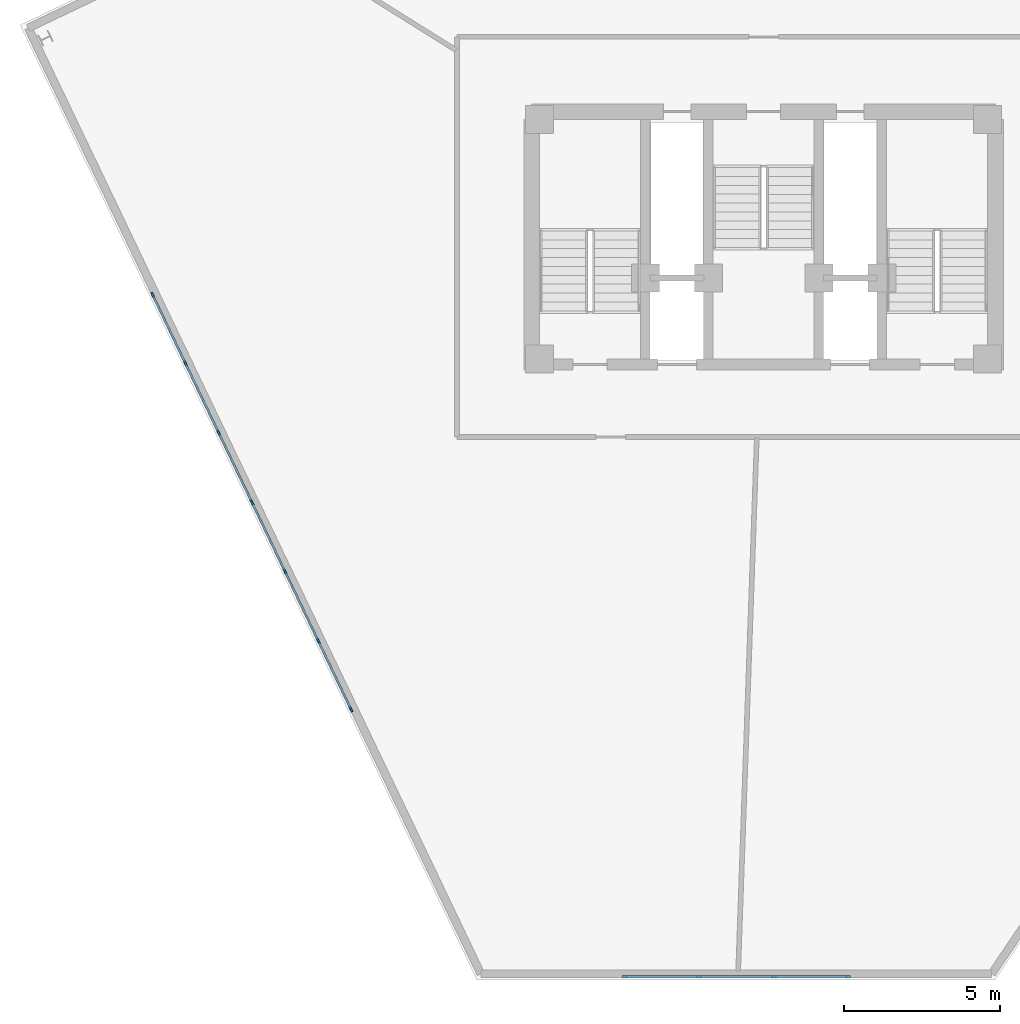
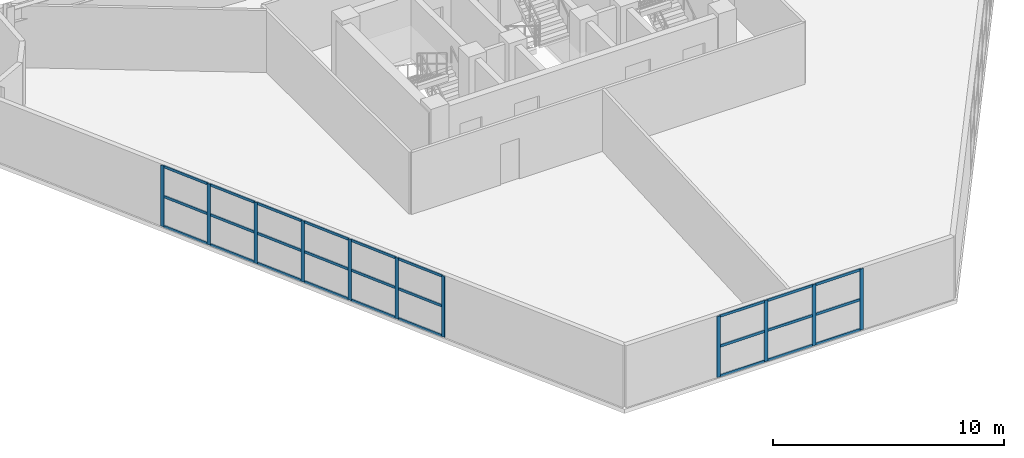
# One storey, part 3 of 8: 38 members, 2 elements without a shape of their own.
"""IFC4 building model written with IfcOpenShell, lengths in metres."""

from ifc_helpers import new_model, si_unit, direction, frame, origin, origin_2d, place, context, subcontext, project, spatial, rectangle, extrude, material, layer, layer_set, material_profile, profile_set, type_object, element, aggregate, save


model = new_model("IFC4")

# Units and contexts
model_context = context("Model", 3, precision=1e-05, world=origin(), true_north=direction((0.0, 1.0)))
body_context = subcontext(model_context, "Body", "Model", "MODEL_VIEW")
ifc_project = project(units=[si_unit("LENGTHUNIT", "METRE"), si_unit("AREAUNIT", "SQUARE_METRE"), si_unit("VOLUMEUNIT", "CUBIC_METRE"), si_unit("PLANEANGLEUNIT", "RADIAN"), si_unit("MASSUNIT", "GRAM", prefix="KILO")], contexts=[model_context])

# Site, building, storey
site_placement = place(None, origin())
site = spatial("IfcSite", under=ifc_project, at=site_placement, CompositionType="ELEMENT")
building_placement = place(site_placement, origin())
building = spatial("IfcBuilding", under=site, at=building_placement, Name="Apsidion Concourse Tower", CompositionType="ELEMENT")
storey_placement = place(building_placement, frame((0.0, 0.0, 332.5)))
storey = spatial("IfcBuildingStorey", under=building, at=storey_placement, Name="L78", CompositionType="ELEMENT", Elevation=332.5)

# Curtain wall, members
ifc_material_1 = material(Name="Insulated laminated low-E glass", Category="glass")
ifc_layer = layer(ifc_material_1, 0.239990234375)
ifc_layer_set = layer_set([ifc_layer], Name="Insulated laminated low-E glass")
curtain_wall_type = type_object("IfcCurtainWallType", Name="CW-SYS-06", PredefinedType="NOTDEFINED", material=ifc_layer_set)
curtain_wall_1_placement = place(storey_placement, origin())
curtain_wall_1 = element("IfcCurtainWall", 1, at=curtain_wall_1_placement, inside=storey, type_object=curtain_wall_type, Name="L78 Slanted Crown Curtain Wall 9", PredefinedType="NOTDEFINED")
ifc_material_2 = material(Name="Anodised aluminium EN AW-6063 T6", Category="aluminium")
ifc_material_profile_1 = material_profile(ifc_material_2, rectangle(XDim=0.06494140625, YDim=0.179931640625, at=origin_2d()), Name="ALU MULLION 65x180")
ifc_profile_set_1 = profile_set([ifc_material_profile_1], Name="Anodised aluminium EN AW-6063 T6")
member_type_1 = type_object("IfcMemberType", Name="CWM-65X180", PredefinedType="MULLION", material=ifc_profile_set_1)
member_1_placement = place(storey_placement, frame((2.700927734375, -18.39501953125, 0.0), z_axis=(0.0, 0.0, 1.0), x_axis=(0.0, -1.0, 0.0)))
member_1 = element("IfcMember", 2, at=member_1_placement, type_object=member_type_1, Name="CW-06 mullion 1", PredefinedType="MULLION", context=body_context, shape_type="SweptSolid", body=[
    extrude(rectangle(XDim=0.06494140625, YDim=0.179931640625, at=origin_2d()), origin(), (0.0, 0.0, 1.0), 3.22998046875),
])
member_2_placement = place(storey_placement, frame((0.325927734375, -18.39501953125, 0.0), z_axis=(0.0, 0.0, 1.0), x_axis=(0.0, -1.0, 0.0)))
member_2 = element("IfcMember", 3, at=member_2_placement, type_object=member_type_1, Name="CW-06 mullion 2", PredefinedType="MULLION", context=body_context, shape_type="SweptSolid", body=[
    extrude(rectangle(XDim=0.06494140625, YDim=0.179931640625, at=origin_2d()), origin(), (0.0, 0.0, 1.0), 3.22998046875),
])
member_3_placement = place(storey_placement, frame((-2.081787109375, -18.39501953125, 0.0), z_axis=(0.0, 0.0, 1.0), x_axis=(0.0, -1.0, 0.0)))
member_3 = element("IfcMember", 4, at=member_3_placement, type_object=member_type_1, Name="CW-06 mullion 3", PredefinedType="MULLION", context=body_context, shape_type="SweptSolid", body=[
    extrude(rectangle(XDim=0.06494140625, YDim=0.179931640625, at=origin_2d()), origin(), (0.0, 0.0, 1.0), 3.22998046875),
])
member_4_placement = place(storey_placement, frame((-4.45703125, -18.39501953125, 0.0), z_axis=(0.0, 0.0, 1.0), x_axis=(0.0, -1.0, 0.0)))
member_4 = element("IfcMember", 5, at=member_4_placement, type_object=member_type_1, Name="CW-06 mullion 4", PredefinedType="MULLION", context=body_context, shape_type="SweptSolid", body=[
    extrude(rectangle(XDim=0.06494140625, YDim=0.179931640625, at=origin_2d()), origin(), (0.0, 0.0, 1.0), 3.22998046875),
])

curtain_wall_2_placement = place(storey_placement, origin())
curtain_wall_2 = element("IfcCurtainWall", 6, at=curtain_wall_2_placement, inside=storey, type_object=curtain_wall_type, Name="L78 Slanted Crown Curtain Wall 10", PredefinedType="NOTDEFINED")
member_5_placement = place(storey_placement, frame((-13.25634765625, -9.803466796875, 0.0), z_axis=(0.0, 0.0, 1.0), x_axis=(-0.902067074387, -0.431595868036, 0.0)))
member_5 = element("IfcMember", 7, at=member_5_placement, type_object=member_type_1, Name="CW-06 mullion 1", PredefinedType="MULLION", context=body_context, shape_type="SweptSolid", body=[
    extrude(rectangle(XDim=0.06494140625, YDim=0.179931640625, at=origin_2d()), origin(), (0.0, 0.0, 1.0), 3.22998046875),
])
member_6_placement = place(storey_placement, frame((-14.30859375, -7.604248046875, 0.0), z_axis=(0.0, 0.0, 1.0), x_axis=(-0.902067074387, -0.431595868036, 0.0)))
member_6 = element("IfcMember", 8, at=member_6_placement, type_object=member_type_1, Name="CW-06 mullion 2", PredefinedType="MULLION", context=body_context, shape_type="SweptSolid", body=[
    extrude(rectangle(XDim=0.06494140625, YDim=0.179931640625, at=origin_2d()), origin(), (0.0, 0.0, 1.0), 3.22998046875),
])
member_7_placement = place(storey_placement, frame((-15.374755859375, -5.3759765625, 0.0), z_axis=(0.0, 0.0, 1.0), x_axis=(-0.902067074387, -0.431595868036, 0.0)))
member_7 = element("IfcMember", 9, at=member_7_placement, type_object=member_type_1, Name="CW-06 mullion 3", PredefinedType="MULLION", context=body_context, shape_type="SweptSolid", body=[
    extrude(rectangle(XDim=0.06494140625, YDim=0.179931640625, at=origin_2d()), origin(), (0.0, 0.0, 1.0), 3.22998046875),
])
member_8_placement = place(storey_placement, frame((-16.44091796875, -3.147705078125, 0.0), z_axis=(0.0, 0.0, 1.0), x_axis=(-0.902067074387, -0.431595868036, 0.0)))
member_8 = element("IfcMember", 10, at=member_8_placement, type_object=member_type_1, Name="CW-06 mullion 4", PredefinedType="MULLION", context=body_context, shape_type="SweptSolid", body=[
    extrude(rectangle(XDim=0.06494140625, YDim=0.179931640625, at=origin_2d()), origin(), (0.0, 0.0, 1.0), 3.22998046875),
])
member_9_placement = place(storey_placement, frame((-17.507080078125, -0.919189453125, 0.0), z_axis=(0.0, 0.0, 1.0), x_axis=(-0.902067074387, -0.431595868036, 0.0)))
member_9 = element("IfcMember", 11, at=member_9_placement, type_object=member_type_1, Name="CW-06 mullion 5", PredefinedType="MULLION", context=body_context, shape_type="SweptSolid", body=[
    extrude(rectangle(XDim=0.06494140625, YDim=0.179931640625, at=origin_2d()), origin(), (0.0, 0.0, 1.0), 3.22998046875),
])
member_10_placement = place(storey_placement, frame((-18.5732421875, 1.30908203125, 0.0), z_axis=(0.0, 0.0, 1.0), x_axis=(-0.902067074387, -0.431595868036, 0.0)))
member_10 = element("IfcMember", 12, at=member_10_placement, type_object=member_type_1, Name="CW-06 mullion 6", PredefinedType="MULLION", context=body_context, shape_type="SweptSolid", body=[
    extrude(rectangle(XDim=0.06494140625, YDim=0.179931640625, at=origin_2d()), origin(), (0.0, 0.0, 1.0), 3.22998046875),
])
member_11_placement = place(storey_placement, frame((-19.62548828125, 3.50830078125, 0.0), z_axis=(0.0, 0.0, 1.0), x_axis=(-0.902067074387, -0.431595868036, 0.0)))
member_11 = element("IfcMember", 13, at=member_11_placement, type_object=member_type_1, Name="CW-06 mullion 7", PredefinedType="MULLION", context=body_context, shape_type="SweptSolid", body=[
    extrude(rectangle(XDim=0.06494140625, YDim=0.179931640625, at=origin_2d()), origin(), (0.0, 0.0, 1.0), 3.22998046875),
])

# Member
ifc_material_profile_2 = material_profile(ifc_material_2, rectangle(XDim=0.06494140625, YDim=0.139892578125, at=origin_2d()), Name="ALU TRANSOM 65x140")
ifc_profile_set_2 = profile_set([ifc_material_profile_2], Name="Anodised aluminium EN AW-6063 T6")
member_type_2 = type_object("IfcMemberType", Name="CWT-65X140", PredefinedType="USERDEFINED", material=ifc_profile_set_2)
member_12_placement = place(storey_placement, frame((2.66845703125, -18.39501953125, 0.032470703125), z_axis=(-1.0, 0.0, 0.0), x_axis=(0.0, -1.0, 0.0)))
member_12 = element("IfcMember", 14, at=member_12_placement, type_object=member_type_2, Name="CW-06 transom 1.1", ObjectType="TRANSOM", PredefinedType="USERDEFINED", context=body_context, shape_type="SweptSolid", body=[
    extrude(rectangle(XDim=0.06494140625, YDim=0.139892578125, at=origin_2d()), origin(), (0.0, 0.0, 1.0), 2.31005859375),
])

member_13_placement = place(storey_placement, frame((2.66845703125, -18.39501953125, 1.614990234375), z_axis=(-1.0, 0.0, 0.0), x_axis=(0.0, -1.0, 0.0)))
member_13 = element("IfcMember", 15, at=member_13_placement, type_object=member_type_2, Name="CW-06 transom 1.2", ObjectType="TRANSOM", PredefinedType="USERDEFINED", context=body_context, shape_type="SweptSolid", body=[
    extrude(rectangle(XDim=0.06494140625, YDim=0.139892578125, at=origin_2d()), origin(), (0.0, 0.0, 1.0), 2.31005859375),
])

member_14_placement = place(storey_placement, frame((2.66845703125, -18.39501953125, 3.197509765625), z_axis=(-1.0, 0.0, 0.0), x_axis=(0.0, -1.0, 0.0)))
member_14 = element("IfcMember", 16, at=member_14_placement, type_object=member_type_2, Name="CW-06 transom 1.3", ObjectType="TRANSOM", PredefinedType="USERDEFINED", context=body_context, shape_type="SweptSolid", body=[
    extrude(rectangle(XDim=0.06494140625, YDim=0.139892578125, at=origin_2d()), origin(), (0.0, 0.0, 1.0), 2.31005859375),
])

member_15_placement = place(storey_placement, frame((0.293212890625, -18.39501953125, 0.032470703125), z_axis=(-1.0, 0.0, 0.0), x_axis=(0.0, -1.0, 0.0)))
member_15 = element("IfcMember", 17, at=member_15_placement, type_object=member_type_2, Name="CW-06 transom 2.1", ObjectType="TRANSOM", PredefinedType="USERDEFINED", context=body_context, shape_type="SweptSolid", body=[
    extrude(rectangle(XDim=0.06494140625, YDim=0.139892578125, at=origin_2d()), origin(), (0.0, 0.0, 1.0), 2.342529296875),
])

member_16_placement = place(storey_placement, frame((0.293212890625, -18.39501953125, 1.614990234375), z_axis=(-1.0, 0.0, 0.0), x_axis=(0.0, -1.0, 0.0)))
member_16 = element("IfcMember", 18, at=member_16_placement, type_object=member_type_2, Name="CW-06 transom 2.2", ObjectType="TRANSOM", PredefinedType="USERDEFINED", context=body_context, shape_type="SweptSolid", body=[
    extrude(rectangle(XDim=0.06494140625, YDim=0.139892578125, at=origin_2d()), origin(), (0.0, 0.0, 1.0), 2.342529296875),
])

member_17_placement = place(storey_placement, frame((0.293212890625, -18.39501953125, 3.197509765625), z_axis=(-1.0, 0.0, 0.0), x_axis=(0.0, -1.0, 0.0)))
member_17 = element("IfcMember", 19, at=member_17_placement, type_object=member_type_2, Name="CW-06 transom 2.3", ObjectType="TRANSOM", PredefinedType="USERDEFINED", context=body_context, shape_type="SweptSolid", body=[
    extrude(rectangle(XDim=0.06494140625, YDim=0.139892578125, at=origin_2d()), origin(), (0.0, 0.0, 1.0), 2.342529296875),
])

member_18_placement = place(storey_placement, frame((-2.1142578125, -18.39501953125, 0.032470703125), z_axis=(-1.0, 0.0, 0.0), x_axis=(0.0, -1.0, 0.0)))
member_18 = element("IfcMember", 20, at=member_18_placement, type_object=member_type_2, Name="CW-06 transom 3.1", ObjectType="TRANSOM", PredefinedType="USERDEFINED", context=body_context, shape_type="SweptSolid", body=[
    extrude(rectangle(XDim=0.06494140625, YDim=0.139892578125, at=origin_2d()), origin(), (0.0, 0.0, 1.0), 2.310302734375),
])

member_19_placement = place(storey_placement, frame((-2.1142578125, -18.39501953125, 1.614990234375), z_axis=(-1.0, 0.0, 0.0), x_axis=(0.0, -1.0, 0.0)))
member_19 = element("IfcMember", 21, at=member_19_placement, type_object=member_type_2, Name="CW-06 transom 3.2", ObjectType="TRANSOM", PredefinedType="USERDEFINED", context=body_context, shape_type="SweptSolid", body=[
    extrude(rectangle(XDim=0.06494140625, YDim=0.139892578125, at=origin_2d()), origin(), (0.0, 0.0, 1.0), 2.310302734375),
])

member_20_placement = place(storey_placement, frame((-2.1142578125, -18.39501953125, 3.197509765625), z_axis=(-1.0, 0.0, 0.0), x_axis=(0.0, -1.0, 0.0)))
member_20 = element("IfcMember", 22, at=member_20_placement, type_object=member_type_2, Name="CW-06 transom 3.3", ObjectType="TRANSOM", PredefinedType="USERDEFINED", context=body_context, shape_type="SweptSolid", body=[
    extrude(rectangle(XDim=0.06494140625, YDim=0.139892578125, at=origin_2d()), origin(), (0.0, 0.0, 1.0), 2.310302734375),
])

aggregate(curtain_wall_1, [member_1, member_2, member_3, member_4, member_12, member_13, member_14, member_15, member_16, member_17, member_18, member_19, member_20])

member_21_placement = place(storey_placement, frame((-13.2705078125, -9.774169921875, 0.032470703125), z_axis=(-0.431506465062, 0.902109843982, 0.0), x_axis=(-0.902109843982, -0.431506465062, 0.0)))
member_21 = element("IfcMember", 23, at=member_21_placement, type_object=member_type_2, Name="CW-06 transom 1.1", ObjectType="TRANSOM", PredefinedType="USERDEFINED", context=body_context, shape_type="SweptSolid", body=[
    extrude(rectangle(XDim=0.06494140625, YDim=0.139892578125, at=origin_2d()), origin(), (0.0, 0.0, 1.0), 2.372802734375),
])

member_22_placement = place(storey_placement, frame((-13.2705078125, -9.774169921875, 1.614990234375), z_axis=(-0.431506465062, 0.902109843982, 0.0), x_axis=(-0.902109843982, -0.431506465062, 0.0)))
member_22 = element("IfcMember", 24, at=member_22_placement, type_object=member_type_2, Name="CW-06 transom 1.2", ObjectType="TRANSOM", PredefinedType="USERDEFINED", context=body_context, shape_type="SweptSolid", body=[
    extrude(rectangle(XDim=0.06494140625, YDim=0.139892578125, at=origin_2d()), origin(), (0.0, 0.0, 1.0), 2.372802734375),
])

member_23_placement = place(storey_placement, frame((-13.2705078125, -9.774169921875, 3.197509765625), z_axis=(-0.431506465062, 0.902109843982, 0.0), x_axis=(-0.902109843982, -0.431506465062, 0.0)))
member_23 = element("IfcMember", 25, at=member_23_placement, type_object=member_type_2, Name="CW-06 transom 1.3", ObjectType="TRANSOM", PredefinedType="USERDEFINED", context=body_context, shape_type="SweptSolid", body=[
    extrude(rectangle(XDim=0.06494140625, YDim=0.139892578125, at=origin_2d()), origin(), (0.0, 0.0, 1.0), 2.372802734375),
])

member_24_placement = place(storey_placement, frame((-14.322509765625, -7.574951171875, 0.032470703125), z_axis=(-0.431595567805, 0.902067218034, 0.0), x_axis=(-0.902067218034, -0.431595567805, 0.0)))
member_24 = element("IfcMember", 26, at=member_24_placement, type_object=member_type_2, Name="CW-06 transom 2.1", ObjectType="TRANSOM", PredefinedType="USERDEFINED", context=body_context, shape_type="SweptSolid", body=[
    extrude(rectangle(XDim=0.06494140625, YDim=0.139892578125, at=origin_2d()), origin(), (0.0, 0.0, 1.0), 2.4052734375),
])

member_25_placement = place(storey_placement, frame((-14.322509765625, -7.574951171875, 1.614990234375), z_axis=(-0.431595567805, 0.902067218034, 0.0), x_axis=(-0.902067218034, -0.431595567805, 0.0)))
member_25 = element("IfcMember", 27, at=member_25_placement, type_object=member_type_2, Name="CW-06 transom 2.2", ObjectType="TRANSOM", PredefinedType="USERDEFINED", context=body_context, shape_type="SweptSolid", body=[
    extrude(rectangle(XDim=0.06494140625, YDim=0.139892578125, at=origin_2d()), origin(), (0.0, 0.0, 1.0), 2.4052734375),
])

member_26_placement = place(storey_placement, frame((-14.322509765625, -7.574951171875, 3.197509765625), z_axis=(-0.431595567805, 0.902067218034, 0.0), x_axis=(-0.902067218034, -0.431595567805, 0.0)))
member_26 = element("IfcMember", 28, at=member_26_placement, type_object=member_type_2, Name="CW-06 transom 2.3", ObjectType="TRANSOM", PredefinedType="USERDEFINED", context=body_context, shape_type="SweptSolid", body=[
    extrude(rectangle(XDim=0.06494140625, YDim=0.139892578125, at=origin_2d()), origin(), (0.0, 0.0, 1.0), 2.4052734375),
])

member_27_placement = place(storey_placement, frame((-15.388671875, -5.3466796875, 0.032470703125), z_axis=(-0.431595567805, 0.902067218034, 0.0), x_axis=(-0.902067218034, -0.431595567805, 0.0)))
member_27 = element("IfcMember", 29, at=member_27_placement, type_object=member_type_2, Name="CW-06 transom 3.1", ObjectType="TRANSOM", PredefinedType="USERDEFINED", context=body_context, shape_type="SweptSolid", body=[
    extrude(rectangle(XDim=0.06494140625, YDim=0.139892578125, at=origin_2d()), origin(), (0.0, 0.0, 1.0), 2.4052734375),
])

member_28_placement = place(storey_placement, frame((-15.388671875, -5.3466796875, 1.614990234375), z_axis=(-0.431595567805, 0.902067218034, 0.0), x_axis=(-0.902067218034, -0.431595567805, 0.0)))
member_28 = element("IfcMember", 30, at=member_28_placement, type_object=member_type_2, Name="CW-06 transom 3.2", ObjectType="TRANSOM", PredefinedType="USERDEFINED", context=body_context, shape_type="SweptSolid", body=[
    extrude(rectangle(XDim=0.06494140625, YDim=0.139892578125, at=origin_2d()), origin(), (0.0, 0.0, 1.0), 2.4052734375),
])

member_29_placement = place(storey_placement, frame((-15.388671875, -5.3466796875, 3.197509765625), z_axis=(-0.431595567805, 0.902067218034, 0.0), x_axis=(-0.902067218034, -0.431595567805, 0.0)))
member_29 = element("IfcMember", 31, at=member_29_placement, type_object=member_type_2, Name="CW-06 transom 3.3", ObjectType="TRANSOM", PredefinedType="USERDEFINED", context=body_context, shape_type="SweptSolid", body=[
    extrude(rectangle(XDim=0.06494140625, YDim=0.139892578125, at=origin_2d()), origin(), (0.0, 0.0, 1.0), 2.4052734375),
])

member_30_placement = place(storey_placement, frame((-16.454833984375, -3.1181640625, 0.032470703125), z_axis=(-0.431595567805, 0.902067218034, 0.0), x_axis=(-0.902067218034, -0.431595567805, 0.0)))
member_30 = element("IfcMember", 32, at=member_30_placement, type_object=member_type_2, Name="CW-06 transom 4.1", ObjectType="TRANSOM", PredefinedType="USERDEFINED", context=body_context, shape_type="SweptSolid", body=[
    extrude(rectangle(XDim=0.06494140625, YDim=0.139892578125, at=origin_2d()), origin(), (0.0, 0.0, 1.0), 2.4052734375),
])

member_31_placement = place(storey_placement, frame((-16.454833984375, -3.1181640625, 1.614990234375), z_axis=(-0.431595567805, 0.902067218034, 0.0), x_axis=(-0.902067218034, -0.431595567805, 0.0)))
member_31 = element("IfcMember", 33, at=member_31_placement, type_object=member_type_2, Name="CW-06 transom 4.2", ObjectType="TRANSOM", PredefinedType="USERDEFINED", context=body_context, shape_type="SweptSolid", body=[
    extrude(rectangle(XDim=0.06494140625, YDim=0.139892578125, at=origin_2d()), origin(), (0.0, 0.0, 1.0), 2.4052734375),
])

member_32_placement = place(storey_placement, frame((-16.454833984375, -3.1181640625, 3.197509765625), z_axis=(-0.431595567805, 0.902067218034, 0.0), x_axis=(-0.902067218034, -0.431595567805, 0.0)))
member_32 = element("IfcMember", 34, at=member_32_placement, type_object=member_type_2, Name="CW-06 transom 4.3", ObjectType="TRANSOM", PredefinedType="USERDEFINED", context=body_context, shape_type="SweptSolid", body=[
    extrude(rectangle(XDim=0.06494140625, YDim=0.139892578125, at=origin_2d()), origin(), (0.0, 0.0, 1.0), 2.4052734375),
])

member_33_placement = place(storey_placement, frame((-17.52099609375, -0.889892578125, 0.032470703125), z_axis=(-0.431678158853, 0.902027697562, 0.0), x_axis=(-0.902027697562, -0.431678158853, 0.0)))
member_33 = element("IfcMember", 35, at=member_33_placement, type_object=member_type_2, Name="CW-06 transom 5.1", ObjectType="TRANSOM", PredefinedType="USERDEFINED", context=body_context, shape_type="SweptSolid", body=[
    extrude(rectangle(XDim=0.06494140625, YDim=0.139892578125, at=origin_2d()), origin(), (0.0, 0.0, 1.0), 2.4052734375),
])

member_34_placement = place(storey_placement, frame((-17.52099609375, -0.889892578125, 1.614990234375), z_axis=(-0.431678158853, 0.902027697562, 0.0), x_axis=(-0.902027697562, -0.431678158853, 0.0)))
member_34 = element("IfcMember", 36, at=member_34_placement, type_object=member_type_2, Name="CW-06 transom 5.2", ObjectType="TRANSOM", PredefinedType="USERDEFINED", context=body_context, shape_type="SweptSolid", body=[
    extrude(rectangle(XDim=0.06494140625, YDim=0.139892578125, at=origin_2d()), origin(), (0.0, 0.0, 1.0), 2.4052734375),
])

member_35_placement = place(storey_placement, frame((-17.52099609375, -0.889892578125, 3.197509765625), z_axis=(-0.431678158853, 0.902027697562, 0.0), x_axis=(-0.902027697562, -0.431678158853, 0.0)))
member_35 = element("IfcMember", 37, at=member_35_placement, type_object=member_type_2, Name="CW-06 transom 5.3", ObjectType="TRANSOM", PredefinedType="USERDEFINED", context=body_context, shape_type="SweptSolid", body=[
    extrude(rectangle(XDim=0.06494140625, YDim=0.139892578125, at=origin_2d()), origin(), (0.0, 0.0, 1.0), 2.4052734375),
])

member_36_placement = place(storey_placement, frame((-18.587158203125, 1.33837890625, 0.032470703125), z_axis=(-0.431630246628, 0.902050625074, 0.0), x_axis=(-0.902050625074, -0.431630246628, 0.0)))
member_36 = element("IfcMember", 38, at=member_36_placement, type_object=member_type_2, Name="CW-06 transom 6.1", ObjectType="TRANSOM", PredefinedType="USERDEFINED", context=body_context, shape_type="SweptSolid", body=[
    extrude(rectangle(XDim=0.06494140625, YDim=0.139892578125, at=origin_2d()), origin(), (0.0, 0.0, 1.0), 2.372802734375),
])

member_37_placement = place(storey_placement, frame((-18.587158203125, 1.33837890625, 1.614990234375), z_axis=(-0.431630246628, 0.902050625074, 0.0), x_axis=(-0.902050625074, -0.431630246628, 0.0)))
member_37 = element("IfcMember", 39, at=member_37_placement, type_object=member_type_2, Name="CW-06 transom 6.2", ObjectType="TRANSOM", PredefinedType="USERDEFINED", context=body_context, shape_type="SweptSolid", body=[
    extrude(rectangle(XDim=0.06494140625, YDim=0.139892578125, at=origin_2d()), origin(), (0.0, 0.0, 1.0), 2.372802734375),
])

member_38_placement = place(storey_placement, frame((-18.587158203125, 1.33837890625, 3.197509765625), z_axis=(-0.431630246628, 0.902050625074, 0.0), x_axis=(-0.902050625074, -0.431630246628, 0.0)))
member_38 = element("IfcMember", 40, at=member_38_placement, type_object=member_type_2, Name="CW-06 transom 6.3", ObjectType="TRANSOM", PredefinedType="USERDEFINED", context=body_context, shape_type="SweptSolid", body=[
    extrude(rectangle(XDim=0.06494140625, YDim=0.139892578125, at=origin_2d()), origin(), (0.0, 0.0, 1.0), 2.372802734375),
])

aggregate(curtain_wall_2, [member_5, member_6, member_7, member_8, member_9, member_10, member_11, member_21, member_22, member_23, member_24, member_25, member_26, member_27, member_28, member_29, member_30, member_31, member_32, member_33, member_34, member_35, member_36, member_37, member_38])

save(model, "model.ifc")
